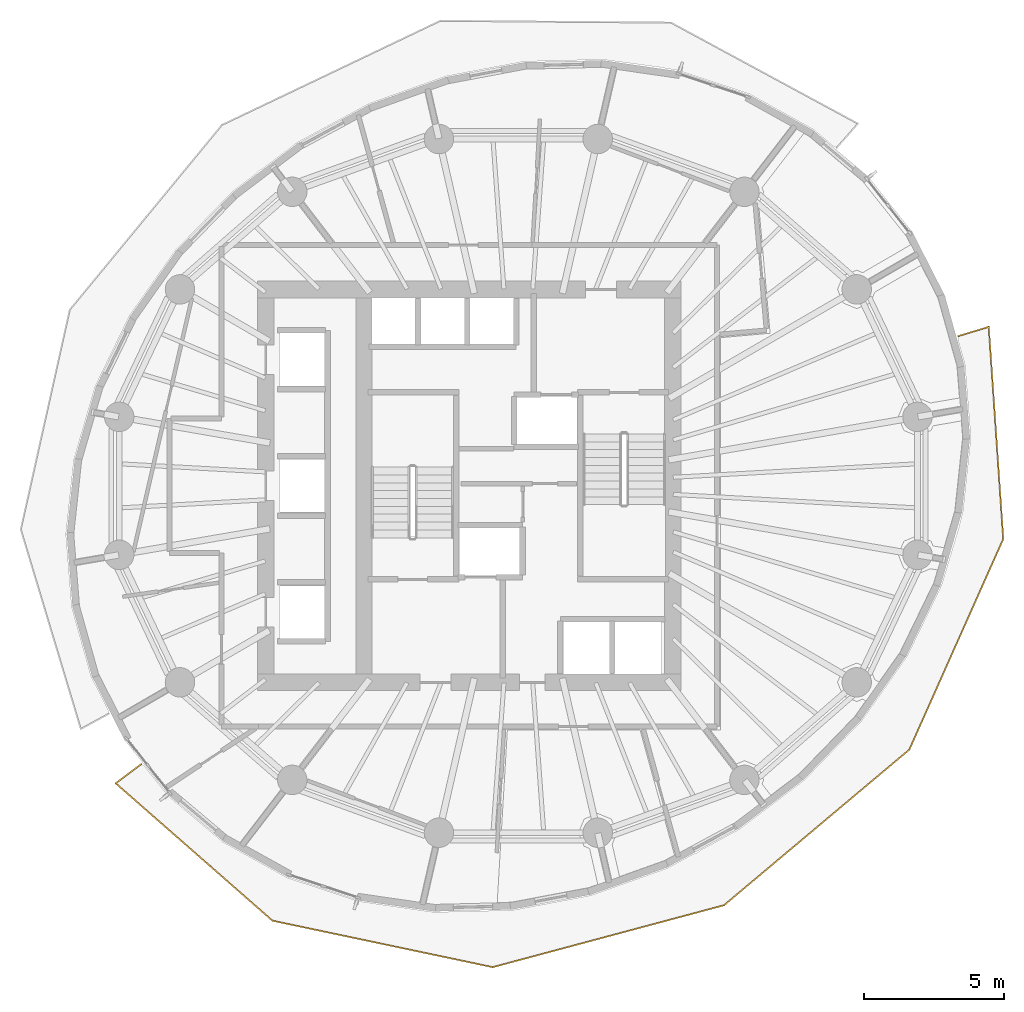
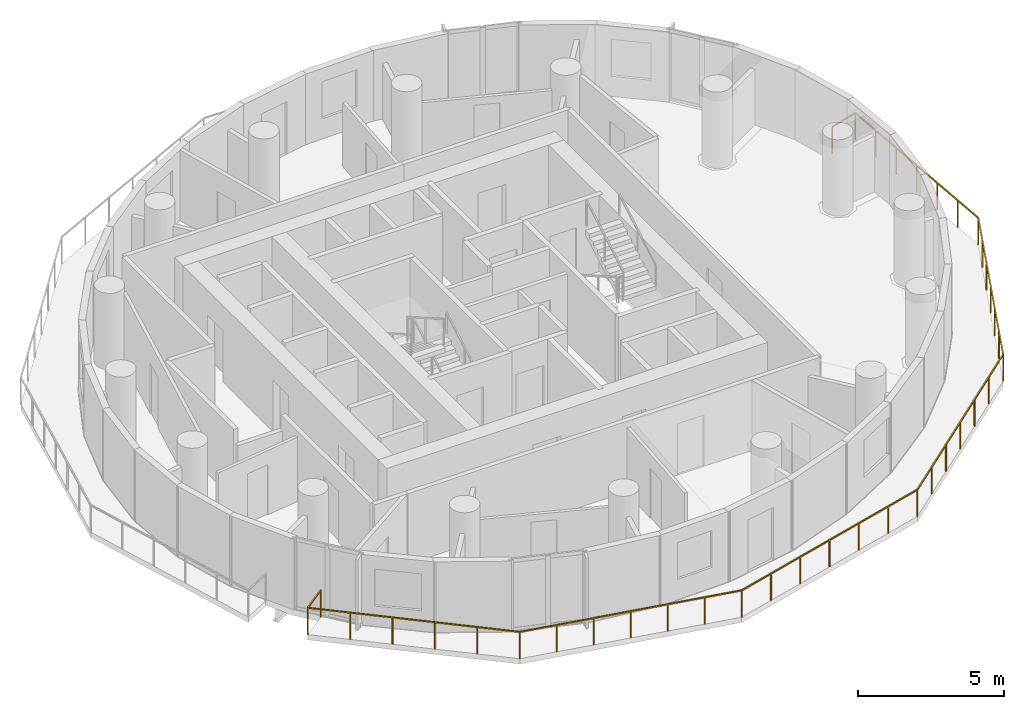
# One storey, part 9 of 12: 1 railing.
"""IFC4 building model written with IfcOpenShell, lengths in metres."""

from ifc_helpers import new_model, si_unit, direction, frame, origin, origin_2d, place, context, subcontext, project, spatial, rectangle, extrude, material, type_object, element, save


model = new_model("IFC4")

# Units and contexts
model_context = context("Model", 3, precision=1e-05, world=origin(), true_north=direction((0.0, 1.0)))
body_context = subcontext(model_context, "Body", "Model", "MODEL_VIEW")
ifc_project = project(units=[si_unit("LENGTHUNIT", "METRE"), si_unit("AREAUNIT", "SQUARE_METRE"), si_unit("VOLUMEUNIT", "CUBIC_METRE"), si_unit("PLANEANGLEUNIT", "RADIAN"), si_unit("MASSUNIT", "GRAM", prefix="KILO")], contexts=[model_context])

# Site, building, storey
site_placement = place(None, origin())
site = spatial("IfcSite", under=ifc_project, at=site_placement, CompositionType="ELEMENT")
building_placement = place(site_placement, origin())
building = spatial("IfcBuilding", under=site, at=building_placement, Name="Veldorim Arch Residences", CompositionType="ELEMENT")
storey_placement = place(building_placement, frame((0.0, 0.0, 139.360107421875)))
storey = spatial("IfcBuildingStorey", under=building, at=storey_placement, Name="L41", CompositionType="ELEMENT", Elevation=139.360107421875)

# Railing
ifc_material = material(Name="Aluminium", Category="aluminium")
railing_type = type_object("IfcRailingType", Name="Balcony & Terrace Laminated Glass Balustrade 1150", PredefinedType="BALUSTRADE", material=ifc_material)
railing_placement = place(storey_placement, frame((18.569580078125, 14.0927734375, 0.0)))
element("IfcRailing", 1, at=railing_placement, inside=storey, type_object=railing_type, Name="L41 crescent balcony safety balustrade B", PredefinedType="BALUSTRADE", context=body_context, shape_type="SweptSolid", body=[
    extrude(rectangle(XDim=0.048095703125, YDim=0.048095703125, at=origin_2d()), frame((0.0, 0.0, 1.1259765625), z_axis=(-0.799005189212, -0.60132412858, 0.0), x_axis=(0.60132412858, -0.799005189212, 0.0)), (0.0, 0.0, 1.0), 1.14990234375),
    extrude(rectangle(XDim=0.048095703125, YDim=0.048095703125, at=origin_2d()), frame((-0.918701171875, -0.69140625, 1.1259765625), z_axis=(0.752091986719, -0.65905814881, 0.0), x_axis=(0.65905814881, 0.752091986719, 0.0)), (0.0, 0.0, 1.0), 7.42919921875),
    extrude(rectangle(XDim=0.048095703125, YDim=0.048095703125, at=origin_2d()), frame((4.668701171875, -5.587646484375, 1.1259765625), z_axis=(0.978449867338, -0.206484520259, 0.0), x_axis=(0.206484520259, 0.978449867338, 0.0)), (0.0, 0.0, 1.0), 8.02001953125),
    extrude(rectangle(XDim=0.048095703125, YDim=0.048095703125, at=origin_2d()), frame((12.515869140625, -7.24365234375, 1.1259765625), z_axis=(0.965983283488, 0.258604516629, 0.0), x_axis=(-0.258604516629, 0.965983283488, 0.0)), (0.0, 0.0, 1.0), 8.533447265625),
    extrude(rectangle(XDim=0.048095703125, YDim=0.048095703125, at=origin_2d()), frame((20.759033203125, -5.036865234375, 1.1259765625), z_axis=(0.765860462133, 0.643006805983, 0.0), x_axis=(-0.643006805983, 0.765860462133, 0.0)), (0.0, 0.0, 1.0), 8.62255859375),
    extrude(rectangle(XDim=0.048095703125, YDim=0.048095703125, at=origin_2d()), frame((27.36279296875, 0.507568359375, 1.1259765625), z_axis=(0.407229376237, 0.913325919445, 0.0), x_axis=(-0.913325919445, 0.407229376237, 0.0)), (0.0, 0.0, 1.0), 8.220458984375),
    extrude(rectangle(XDim=0.048095703125, YDim=0.048095703125, at=origin_2d()), frame((30.71044921875, 8.015625, 1.1259765625), z_axis=(-0.068255718244, 0.997667859023, 0.0), x_axis=(-0.997667859023, -0.068255718244, 0.0)), (0.0, 0.0, 1.0), 7.57568359375),
    extrude(rectangle(XDim=0.048095703125, YDim=0.048095703125, at=origin_2d()), frame((30.193359375, 15.57373046875, 1.1259765625), z_axis=(-0.957281150687, -0.289158777386, 0.0), x_axis=(0.289158777386, -0.957281150687, 0.0)), (0.0, 0.0, 1.0), 1.14990234375),
    extrude(rectangle(XDim=0.0419921875, YDim=0.0419921875, at=origin_2d()), origin(), (0.0, 0.0, 1.0), 1.101806640625),
    extrude(rectangle(XDim=0.0419921875, YDim=0.0419921875, at=origin_2d()), frame((-0.918701171875, -0.69140625, 0.0)), (0.0, 0.0, 1.0), 1.101806640625),
    extrude(rectangle(XDim=0.0419921875, YDim=0.0419921875, at=origin_2d()), frame((0.19873046875, -1.670654296875, 0.0)), (0.0, 0.0, 1.0), 1.101806640625),
    extrude(rectangle(XDim=0.0419921875, YDim=0.0419921875, at=origin_2d()), frame((1.316162109375, -2.64990234375, 0.0)), (0.0, 0.0, 1.0), 1.101806640625),
    extrude(rectangle(XDim=0.0419921875, YDim=0.0419921875, at=origin_2d()), frame((2.433837890625, -3.629150390625, 0.0)), (0.0, 0.0, 1.0), 1.101806640625),
    extrude(rectangle(XDim=0.0419921875, YDim=0.0419921875, at=origin_2d()), frame((3.55126953125, -4.6083984375, 0.0)), (0.0, 0.0, 1.0), 1.101806640625),
    extrude(rectangle(XDim=0.0419921875, YDim=0.0419921875, at=origin_2d()), frame((4.668701171875, -5.587646484375, 0.0)), (0.0, 0.0, 1.0), 1.101806640625),
    extrude(rectangle(XDim=0.0419921875, YDim=0.0419921875, at=origin_2d()), frame((5.9765625, -5.86376953125, 0.0)), (0.0, 0.0, 1.0), 1.101806640625),
    extrude(rectangle(XDim=0.0419921875, YDim=0.0419921875, at=origin_2d()), frame((7.284423828125, -6.1396484375, 0.0)), (0.0, 0.0, 1.0), 1.101806640625),
    extrude(rectangle(XDim=0.0419921875, YDim=0.0419921875, at=origin_2d()), frame((8.59228515625, -6.41552734375, 0.0)), (0.0, 0.0, 1.0), 1.101806640625),
    extrude(rectangle(XDim=0.0419921875, YDim=0.0419921875, at=origin_2d()), frame((9.900146484375, -6.691650390625, 0.0)), (0.0, 0.0, 1.0), 1.101806640625),
    extrude(rectangle(XDim=0.0419921875, YDim=0.0419921875, at=origin_2d()), frame((11.2080078125, -6.9677734375, 0.0)), (0.0, 0.0, 1.0), 1.101806640625),
    extrude(rectangle(XDim=0.0419921875, YDim=0.0419921875, at=origin_2d()), frame((12.515869140625, -7.24365234375, 0.0)), (0.0, 0.0, 1.0), 1.101806640625),
    extrude(rectangle(XDim=0.0419921875, YDim=0.0419921875, at=origin_2d()), frame((13.8896484375, -6.8759765625, 0.0)), (0.0, 0.0, 1.0), 1.101806640625),
    extrude(rectangle(XDim=0.0419921875, YDim=0.0419921875, at=origin_2d()), frame((15.263671875, -6.508056640625, 0.0)), (0.0, 0.0, 1.0), 1.101806640625),
    extrude(rectangle(XDim=0.0419921875, YDim=0.0419921875, at=origin_2d()), frame((16.637451171875, -6.14013671875, 0.0)), (0.0, 0.0, 1.0), 1.101806640625),
    extrude(rectangle(XDim=0.0419921875, YDim=0.0419921875, at=origin_2d()), frame((18.01123046875, -5.7724609375, 0.0)), (0.0, 0.0, 1.0), 1.101806640625),
    extrude(rectangle(XDim=0.0419921875, YDim=0.0419921875, at=origin_2d()), frame((19.38525390625, -5.40478515625, 0.0)), (0.0, 0.0, 1.0), 1.101806640625),
    extrude(rectangle(XDim=0.0419921875, YDim=0.0419921875, at=origin_2d()), frame((20.759033203125, -5.036865234375, 0.0)), (0.0, 0.0, 1.0), 1.101806640625),
    extrude(rectangle(XDim=0.0419921875, YDim=0.0419921875, at=origin_2d()), frame((21.859619140625, -4.11279296875, 0.0)), (0.0, 0.0, 1.0), 1.101806640625),
    extrude(rectangle(XDim=0.0419921875, YDim=0.0419921875, at=origin_2d()), frame((22.960205078125, -3.188720703125, 0.0)), (0.0, 0.0, 1.0), 1.101806640625),
    extrude(rectangle(XDim=0.0419921875, YDim=0.0419921875, at=origin_2d()), frame((24.06103515625, -2.2646484375, 0.0)), (0.0, 0.0, 1.0), 1.101806640625),
    extrude(rectangle(XDim=0.0419921875, YDim=0.0419921875, at=origin_2d()), frame((25.16162109375, -1.340576171875, 0.0)), (0.0, 0.0, 1.0), 1.101806640625),
    extrude(rectangle(XDim=0.0419921875, YDim=0.0419921875, at=origin_2d()), frame((26.26220703125, -0.41650390625, 0.0)), (0.0, 0.0, 1.0), 1.101806640625),
    extrude(rectangle(XDim=0.0419921875, YDim=0.0419921875, at=origin_2d()), frame((27.36279296875, 0.507568359375, 0.0)), (0.0, 0.0, 1.0), 1.101806640625),
    extrude(rectangle(XDim=0.0419921875, YDim=0.0419921875, at=origin_2d()), frame((27.920654296875, 1.7587890625, 0.0)), (0.0, 0.0, 1.0), 1.101806640625),
    extrude(rectangle(XDim=0.0419921875, YDim=0.0419921875, at=origin_2d()), frame((28.478759765625, 3.01025390625, 0.0)), (0.0, 0.0, 1.0), 1.101806640625),
    extrude(rectangle(XDim=0.0419921875, YDim=0.0419921875, at=origin_2d()), frame((29.03662109375, 4.26171875, 0.0)), (0.0, 0.0, 1.0), 1.101806640625),
    extrude(rectangle(XDim=0.0419921875, YDim=0.0419921875, at=origin_2d()), frame((29.594482421875, 5.512939453125, 0.0)), (0.0, 0.0, 1.0), 1.101806640625),
    extrude(rectangle(XDim=0.0419921875, YDim=0.0419921875, at=origin_2d()), frame((30.152587890625, 6.76416015625, 0.0)), (0.0, 0.0, 1.0), 1.101806640625),
    extrude(rectangle(XDim=0.0419921875, YDim=0.0419921875, at=origin_2d()), frame((30.71044921875, 8.015625, 0.0)), (0.0, 0.0, 1.0), 1.101806640625),
    extrude(rectangle(XDim=0.0419921875, YDim=0.0419921875, at=origin_2d()), frame((30.624267578125, 9.275390625, 0.0)), (0.0, 0.0, 1.0), 1.101806640625),
    extrude(rectangle(XDim=0.0419921875, YDim=0.0419921875, at=origin_2d()), frame((30.5380859375, 10.534912109375, 0.0)), (0.0, 0.0, 1.0), 1.101806640625),
    extrude(rectangle(XDim=0.0419921875, YDim=0.0419921875, at=origin_2d()), frame((30.451904296875, 11.794677734375, 0.0)), (0.0, 0.0, 1.0), 1.101806640625),
    extrude(rectangle(XDim=0.0419921875, YDim=0.0419921875, at=origin_2d()), frame((30.36572265625, 13.054443359375, 0.0)), (0.0, 0.0, 1.0), 1.101806640625),
    extrude(rectangle(XDim=0.0419921875, YDim=0.0419921875, at=origin_2d()), frame((30.279541015625, 14.31396484375, 0.0)), (0.0, 0.0, 1.0), 1.101806640625),
    extrude(rectangle(XDim=0.0419921875, YDim=0.0419921875, at=origin_2d()), frame((30.193359375, 15.57373046875, 0.0)), (0.0, 0.0, 1.0), 1.101806640625),
    extrude(rectangle(XDim=0.0419921875, YDim=0.0419921875, at=origin_2d()), frame((29.092529296875, 15.2412109375, 0.0)), (0.0, 0.0, 1.0), 1.101806640625),
])

save(model, "model.ifc")
